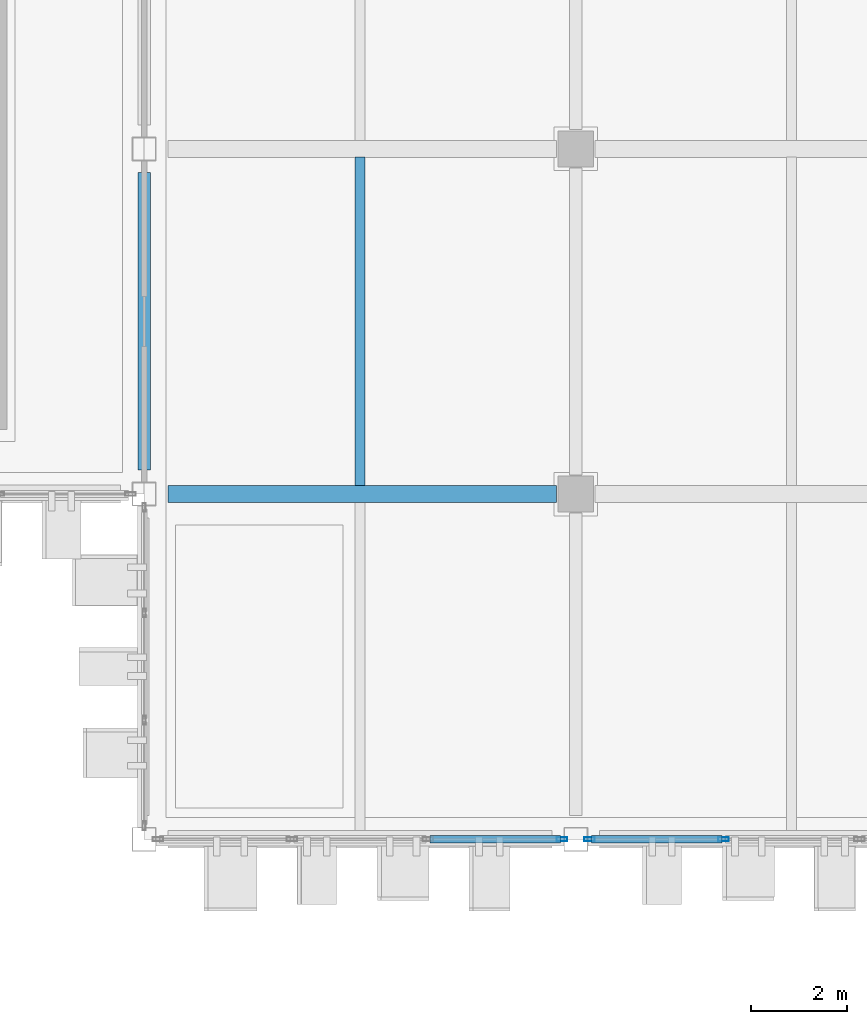
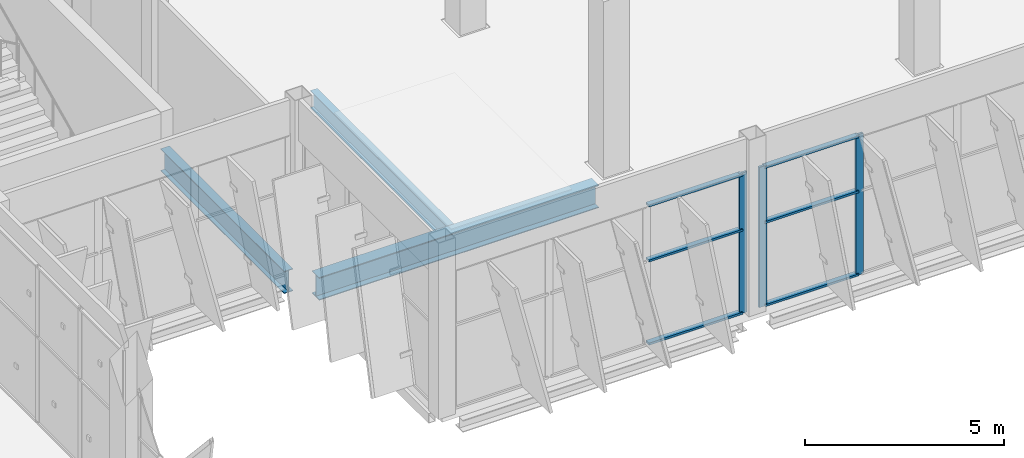
# One storey, part 64 of 137: 9 members, 3 beams, 2 elements without a shape of their own.
"""IFC4 building model written with IfcOpenShell, lengths in metres."""

from ifc_helpers import new_model, si_unit, direction, frame, origin, origin_2d, place, context, subcontext, project, spatial, hollow_rectangle, i_section, extrude, material, layer, layer_set, material_profile, profile_set, type_object, element, aggregate, save


model = new_model("IFC4")

# Units and contexts
model_context = context("Model", 3, precision=1e-05, world=origin(), true_north=direction((0.0, 1.0)))
body_context = subcontext(model_context, "Body", "Model", "MODEL_VIEW")
ifc_project = project(units=[si_unit("LENGTHUNIT", "METRE"), si_unit("AREAUNIT", "SQUARE_METRE"), si_unit("VOLUMEUNIT", "CUBIC_METRE"), si_unit("PLANEANGLEUNIT", "RADIAN"), si_unit("MASSUNIT", "GRAM", prefix="KILO")], contexts=[model_context])

# Site, building, storey
site_placement = place(None, origin())
site = spatial("IfcSite", under=ifc_project, at=site_placement, CompositionType="ELEMENT")
building_placement = place(site_placement, origin())
building = spatial("IfcBuilding", under=site, at=building_placement, Name="Celestram Park Convention Centre", CompositionType="ELEMENT")
storey_placement = place(building_placement, origin())
storey = spatial("IfcBuildingStorey", under=building, at=storey_placement, Name="L00", CompositionType="ELEMENT", Elevation=0.0)

# Curtain wall, members
ifc_material_1 = material(Name="Anodised Aluminium Alloy 6063-T6", Category="aluminium")
ifc_layer = layer(ifc_material_1, 0.179931640625)
ifc_layer_set = layer_set([ifc_layer], Name="Anodised Aluminium Alloy 6063-T6")
curtain_wall_type = type_object("IfcCurtainWallType", Name="ARC-CW-850X430", PredefinedType="NOTDEFINED", material=ifc_layer_set)
curtain_wall_1_placement = place(storey_placement, origin())
curtain_wall_1 = element("IfcCurtainWall", 1, at=curtain_wall_1_placement, inside=storey, type_object=curtain_wall_type, Name="Unitised curtain wall CU-L00-002", PredefinedType="NOTDEFINED")
ifc_material_profile_1 = material_profile(ifc_material_1, hollow_rectangle(XDim=0.074951171875, YDim=0.219970703125, WallThickness=0.00390625, at=origin_2d()), Name="ALU75X220X4")
ifc_profile_set_1 = profile_set([ifc_material_profile_1], Name="Anodised Aluminium Alloy 6063-T6")
member_type_1 = type_object("IfcMemberType", Name="ARC-CWM-180", PredefinedType="MULLION", material=ifc_profile_set_1)
member_1_placement = place(storey_placement, frame((165.082763671875, 115.199951171875, 0.0), z_axis=(0.0, 0.0, 1.0), x_axis=(0.0, -1.0, 0.0)))
member_1 = element("IfcMember", 2, at=member_1_placement, type_object=member_type_1, Name="CW-85X43 mullion 3", PredefinedType="MULLION", context=body_context, shape_type="SweptSolid", body=[
    extrude(hollow_rectangle(XDim=0.074951171875, YDim=0.219970703125, WallThickness=0.00390625, at=origin_2d()), origin(), (0.0, 0.0, 1.0), 4.297119140625),
])
member_2_placement = place(storey_placement, frame((162.285400390625, 115.199951171875, 0.0), z_axis=(0.0, 0.0, 1.0), x_axis=(0.0, -1.0, 0.0)))
member_2 = element("IfcMember", 3, at=member_2_placement, type_object=member_type_1, Name="CW-85X43 mullion 4", PredefinedType="MULLION", context=body_context, shape_type="SweptSolid", body=[
    extrude(hollow_rectangle(XDim=0.074951171875, YDim=0.219970703125, WallThickness=0.00390625, at=origin_2d()), origin(), (0.0, 0.0, 1.0), 4.297119140625),
])

# Curtain wall, member
curtain_wall_2_placement = place(storey_placement, origin())
curtain_wall_2 = element("IfcCurtainWall", 4, at=curtain_wall_2_placement, inside=storey, type_object=curtain_wall_type, Name="Unitised curtain wall CU-L00-003", PredefinedType="NOTDEFINED")
member_3_placement = place(storey_placement, frame((161.714599609375, 115.199951171875, 0.0), z_axis=(0.0, 0.0, 1.0), x_axis=(0.0, -1.0, 0.0)))
member_3 = element("IfcMember", 5, at=member_3_placement, type_object=member_type_1, Name="CW-85X43 mullion 1", PredefinedType="MULLION", context=body_context, shape_type="SweptSolid", body=[
    extrude(hollow_rectangle(XDim=0.074951171875, YDim=0.219970703125, WallThickness=0.00390625, at=origin_2d()), origin(), (0.0, 0.0, 1.0), 4.297119140625),
])

# Member
ifc_material_profile_2 = material_profile(ifc_material_1, hollow_rectangle(XDim=0.14990234375, YDim=0.06494140625, WallThickness=0.0029296875, at=origin_2d()), Name="ALU150X65X3")
ifc_profile_set_2 = profile_set([ifc_material_profile_2], Name="Anodised Aluminium Alloy 6063-T6")
member_type_2 = type_object("IfcMemberType", Name="ARC-CWT-150", PredefinedType="USERDEFINED", material=ifc_profile_set_2)
member_4_placement = place(storey_placement, frame((165.045166015625, 115.199951171875, 0.032470703125), z_axis=(-1.0, 0.0, 0.0), x_axis=(0.0, -1.0, 0.0)))
member_4 = element("IfcMember", 6, at=member_4_placement, type_object=member_type_2, Name="CW-85X43 transom 3.1", ObjectType="TRANSOM", PredefinedType="USERDEFINED", context=body_context, shape_type="SweptSolid", body=[
    extrude(hollow_rectangle(XDim=0.14990234375, YDim=0.06494140625, WallThickness=0.0029296875, at=origin_2d()), origin(), (0.0, 0.0, 1.0), 2.72216796875),
])

member_5_placement = place(storey_placement, frame((165.045166015625, 115.199951171875, 2.577880859375), z_axis=(-1.0, 0.0, 0.0), x_axis=(0.0, -1.0, 0.0)))
member_5 = element("IfcMember", 7, at=member_5_placement, type_object=member_type_2, Name="CW-85X43 transom 3.2", ObjectType="TRANSOM", PredefinedType="USERDEFINED", context=body_context, shape_type="SweptSolid", body=[
    extrude(hollow_rectangle(XDim=0.14990234375, YDim=0.06494140625, WallThickness=0.0029296875, at=origin_2d()), origin(), (0.0, 0.0, 1.0), 2.72216796875),
])

member_6_placement = place(storey_placement, frame((165.045166015625, 115.199951171875, 4.264404296875), z_axis=(-1.0, 0.0, 0.0), x_axis=(0.0, -1.0, 0.0)))
member_6 = element("IfcMember", 8, at=member_6_placement, type_object=member_type_2, Name="CW-85X43 transom 3.3", ObjectType="TRANSOM", PredefinedType="USERDEFINED", context=body_context, shape_type="SweptSolid", body=[
    extrude(hollow_rectangle(XDim=0.14990234375, YDim=0.06494140625, WallThickness=0.0029296875, at=origin_2d()), origin(), (0.0, 0.0, 1.0), 2.72216796875),
])

aggregate(curtain_wall_1, [member_1, member_2, member_4, member_5, member_6])

member_7_placement = place(storey_placement, frame((161.677001953125, 115.199951171875, 0.032470703125), z_axis=(-1.0, 0.0, 0.0), x_axis=(0.0, -1.0, 0.0)))
member_7 = element("IfcMember", 9, at=member_7_placement, type_object=member_type_2, Name="CW-85X43 transom 1.1", ObjectType="TRANSOM", PredefinedType="USERDEFINED", context=body_context, shape_type="SweptSolid", body=[
    extrude(hollow_rectangle(XDim=0.14990234375, YDim=0.06494140625, WallThickness=0.0029296875, at=origin_2d()), origin(), (0.0, 0.0, 1.0), 2.72216796875),
])

member_8_placement = place(storey_placement, frame((161.677001953125, 115.199951171875, 2.577880859375), z_axis=(-1.0, 0.0, 0.0), x_axis=(0.0, -1.0, 0.0)))
member_8 = element("IfcMember", 10, at=member_8_placement, type_object=member_type_2, Name="CW-85X43 transom 1.2", ObjectType="TRANSOM", PredefinedType="USERDEFINED", context=body_context, shape_type="SweptSolid", body=[
    extrude(hollow_rectangle(XDim=0.14990234375, YDim=0.06494140625, WallThickness=0.0029296875, at=origin_2d()), origin(), (0.0, 0.0, 1.0), 2.72216796875),
])

member_9_placement = place(storey_placement, frame((161.677001953125, 115.199951171875, 4.264404296875), z_axis=(-1.0, 0.0, 0.0), x_axis=(0.0, -1.0, 0.0)))
member_9 = element("IfcMember", 11, at=member_9_placement, type_object=member_type_2, Name="CW-85X43 transom 1.3", ObjectType="TRANSOM", PredefinedType="USERDEFINED", context=body_context, shape_type="SweptSolid", body=[
    extrude(hollow_rectangle(XDim=0.14990234375, YDim=0.06494140625, WallThickness=0.0029296875, at=origin_2d()), origin(), (0.0, 0.0, 1.0), 2.72216796875),
])

aggregate(curtain_wall_2, [member_3, member_7, member_8, member_9])

# Beams
ifc_material_2 = material(Name="Steel ASTM A992 Grade 50", Category="steel")
ifc_material_profile_3 = material_profile(ifc_material_2, i_section(OverallWidth=0.35595703125, OverallDepth=0.696044921875, WebThickness=0.015380859375, FlangeThickness=0.02490234375, at=origin_2d()), Name="W27X146")
ifc_profile_set_3 = profile_set([ifc_material_profile_3], Name="Steel ASTM A992 Grade 50")
beam_type_1 = type_object("IfcBeamType", Name="STR-BM-W27X146", PredefinedType="BEAM", material=ifc_profile_set_3)
beam_1_placement = place(storey_placement, frame((153.498046875, 122.39990234375, -0.66796875), z_axis=(1.0, 0.0, 0.0), x_axis=(0.0, 1.0, 0.0)))
element("IfcBeam", 12, at=beam_1_placement, inside=storey, type_object=beam_type_1, Name="Primary X-girder BG-L00-0704", PredefinedType="BEAM", context=body_context, shape_type="SweptSolid", body=[
    extrude(i_section(OverallWidth=0.35595703125, OverallDepth=0.696044921875, WebThickness=0.015380859375, FlangeThickness=0.02490234375, at=origin_2d()), origin(), (0.0, 0.0, 1.0), 8.10400390625),
])
ifc_material_profile_4 = material_profile(ifc_material_2, i_section(OverallWidth=0.25390625, OverallDepth=0.68310546875, WebThickness=0.012451171875, FlangeThickness=0.01904296875, at=origin_2d()), Name="W27X94")
ifc_profile_set_4 = profile_set([ifc_material_profile_4], Name="Steel ASTM A992 Grade 50")
beam_type_2 = type_object("IfcBeamType", Name="STR-BM-W27X94", PredefinedType="BEAM", material=ifc_profile_set_4)
beam_2_placement = place(storey_placement, frame((153.0, 122.89794921875, -0.66162109375), z_axis=(0.0, 1.0, 0.0), x_axis=(-1.0, 0.0, 0.0)))
element("IfcBeam", 13, at=beam_2_placement, inside=storey, type_object=beam_type_2, Name="Primary Y-girder BG-L00-0705", PredefinedType="BEAM", context=body_context, shape_type="SweptSolid", body=[
    extrude(i_section(OverallWidth=0.25390625, OverallDepth=0.68310546875, WebThickness=0.012451171875, FlangeThickness=0.01904296875, at=origin_2d()), origin(), (0.0, 0.0, 1.0), 6.2041015625),
])
ifc_material_profile_5 = material_profile(ifc_material_2, i_section(OverallWidth=0.2099609375, OverallDepth=0.532958984375, WebThickness=0.01025390625, FlangeThickness=0.015625, at=origin_2d()), Name="W21X62")
ifc_profile_set_5 = profile_set([ifc_material_profile_5], Name="Steel ASTM A992 Grade 50")
beam_type_3 = type_object("IfcBeamType", Name="STR-JST-W21X62", PredefinedType="JOIST", material=ifc_profile_set_5)
beam_3_placement = place(storey_placement, frame((157.5, 122.573974609375, -0.58642578125), z_axis=(0.0, 1.0, 0.0), x_axis=(-1.0, 0.0, 0.0)))
element("IfcBeam", 14, at=beam_3_placement, inside=storey, type_object=beam_type_3, Name="Secondary composite joist BG-L00-1178", PredefinedType="JOIST", context=body_context, shape_type="SweptSolid", body=[
    extrude(i_section(OverallWidth=0.2099609375, OverallDepth=0.532958984375, WebThickness=0.01025390625, FlangeThickness=0.015625, at=origin_2d()), origin(), (0.0, 0.0, 1.0), 6.85205078125),
])

save(model, "model.ifc")
